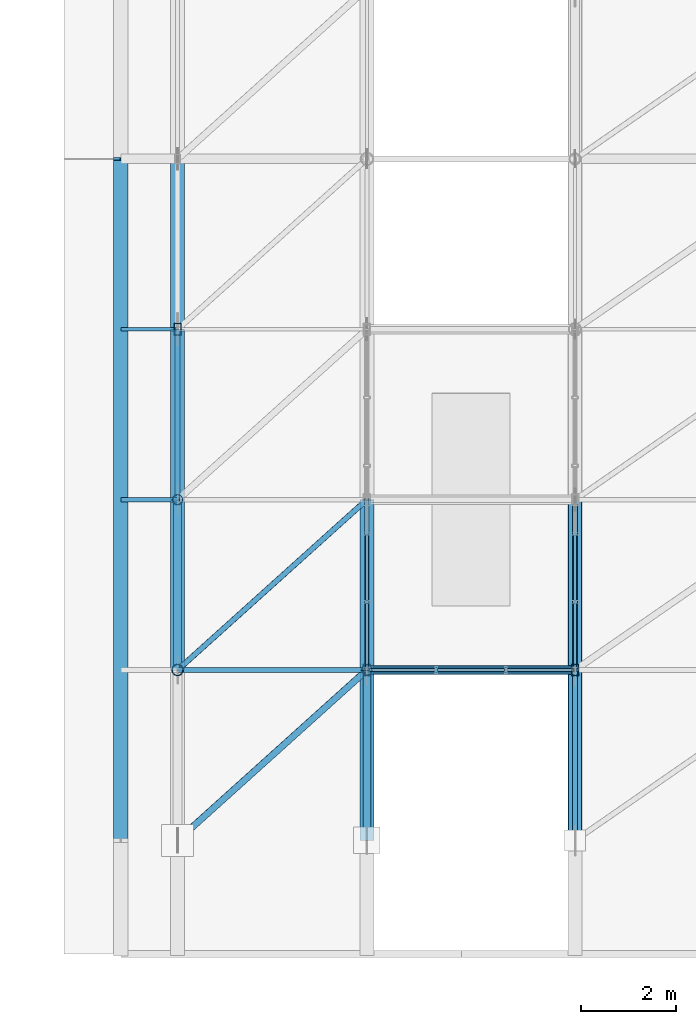
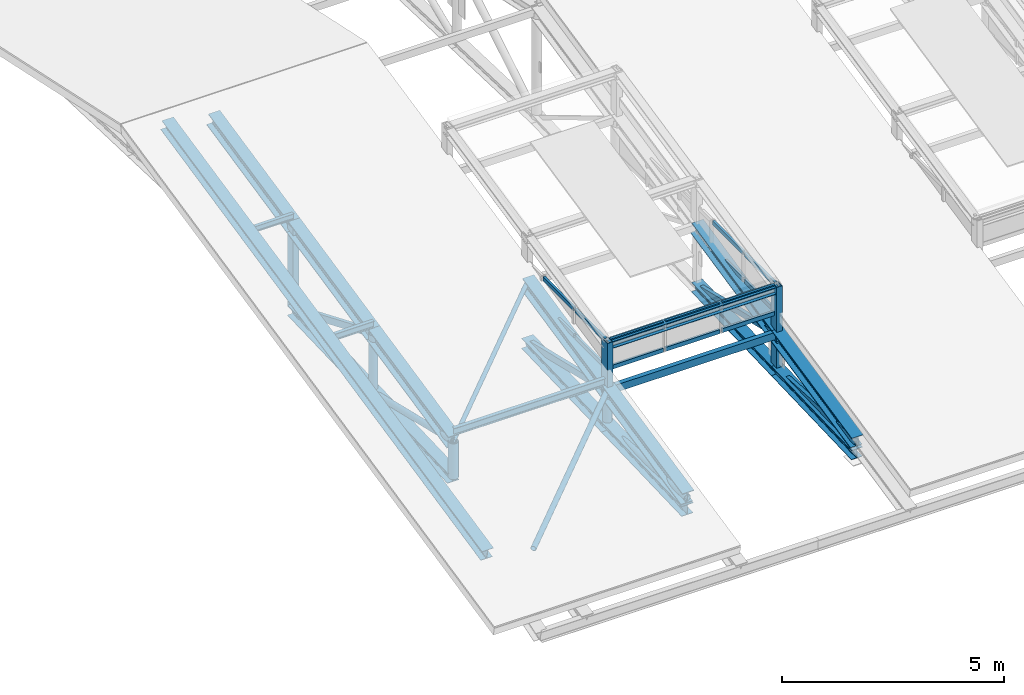
# One storey, part 33 of 124: 48 members, 3 elements without a shape of their own.
"""IFC4 building model written with IfcOpenShell, lengths in metres."""

from ifc_helpers import new_model, si_unit, direction, frame, origin, origin_2d, place, context, subcontext, project, spatial, hollow_rectangle, hollow_circle, i_section, extrude, material, layer, layer_set, material_profile, profile_set, type_object, element, aggregate, save


model = new_model("IFC4")

# Units and contexts
model_context = context("Model", 3, precision=1e-05, world=origin(), true_north=direction((0.0, 1.0)))
body_context = subcontext(model_context, "Body", "Model", "MODEL_VIEW")
ifc_project = project(units=[si_unit("LENGTHUNIT", "METRE"), si_unit("AREAUNIT", "SQUARE_METRE"), si_unit("VOLUMEUNIT", "CUBIC_METRE"), si_unit("PLANEANGLEUNIT", "RADIAN"), si_unit("MASSUNIT", "GRAM", prefix="KILO"), si_unit("THERMODYNAMICTEMPERATUREUNIT", "KELVIN"), si_unit("POWERUNIT", "WATT")], contexts=[model_context])

# Site, building, storey
site_placement = place(None, origin())
site = spatial("IfcSite", under=ifc_project, at=site_placement, CompositionType="ELEMENT")
building_placement = place(site_placement, origin())
building = spatial("IfcBuilding", under=site, at=building_placement, Name="Tavuni Mirador Residences", CompositionType="ELEMENT")
storey_placement = place(building_placement, frame((0.0, 0.0, 7.64990234375)))
storey = spatial("IfcBuildingStorey", under=building, at=storey_placement, Name="L02", CompositionType="ELEMENT", Elevation=7.64990234375)

# Curtain wall, members
ifc_material_1 = material(Name="Anodised aluminium", Category="aluminium")
ifc_layer = layer(ifc_material_1, 0.199951171875, Name="Anodised aluminium", Category="aluminium")
ifc_layer_set = layer_set([ifc_layer], Name="Anodised aluminium")
curtain_wall_type = type_object("IfcCurtainWallType", Name="CWT-HAL-01", PredefinedType="NOTDEFINED", material=ifc_layer_set)
curtain_wall_1_placement = place(storey_placement, origin())
curtain_wall_1 = element("IfcCurtainWall", 1, at=curtain_wall_1_placement, inside=storey, type_object=curtain_wall_type, Name="CW-HALL-MON-S1-W", PredefinedType="NOTDEFINED")
ifc_material_profile_1 = material_profile(ifc_material_1, hollow_rectangle(XDim=0.06005859375, YDim=0.110107421875, WallThickness=0.00390625, at=origin_2d()), Name="ALU 60x110x4.0", Category="aluminium")
ifc_profile_set_1 = profile_set([ifc_material_profile_1], Name="Anodised aluminium")
member_type_1 = type_object("IfcMemberType", Name="CWT-110", PredefinedType="USERDEFINED", material=ifc_profile_set_1)
member_1_placement = place(storey_placement, frame((44.800048828125, 75.659912109375, 1.205078125), z_axis=(0.0, 1.0, 0.0), x_axis=(-1.0, 0.0, 0.0)))
member_1 = element("IfcMember", 2, at=member_1_placement, type_object=member_type_1, Name="CW-06 transom 1.1", ObjectType="TRANSOM", PredefinedType="USERDEFINED", context=body_context, shape_type="SweptSolid", body=[
    extrude(hollow_rectangle(XDim=0.06005859375, YDim=0.110107421875, WallThickness=0.00390625, at=origin_2d()), origin(), (0.0, 0.0, 1.0), 1.35009765625),
])
member_2_placement = place(storey_placement, frame((44.800048828125, 75.659912109375, 1.93505859375), z_axis=(0.0, 1.0, 0.0), x_axis=(-1.0, 0.0, 0.0)))
member_2 = element("IfcMember", 3, at=member_2_placement, type_object=member_type_1, Name="CW-06 transom 1.2", ObjectType="TRANSOM", PredefinedType="USERDEFINED", context=body_context, shape_type="SweptSolid", body=[
    extrude(hollow_rectangle(XDim=0.06005859375, YDim=0.110107421875, WallThickness=0.00390625, at=origin_2d()), origin(), (0.0, 0.0, 1.0), 1.35009765625),
])
member_3_placement = place(storey_placement, frame((44.800048828125, 77.070068359375, 1.205078125), z_axis=(0.0, 1.0, 0.0), x_axis=(-1.0, 0.0, 0.0)))
member_3 = element("IfcMember", 4, at=member_3_placement, type_object=member_type_1, Name="CW-06 transom 2.1", ObjectType="TRANSOM", PredefinedType="USERDEFINED", context=body_context, shape_type="SweptSolid", body=[
    extrude(hollow_rectangle(XDim=0.06005859375, YDim=0.110107421875, WallThickness=0.00390625, at=origin_2d()), origin(), (0.0, 0.0, 1.0), 1.3798828125),
])
member_4_placement = place(storey_placement, frame((44.800048828125, 77.070068359375, 1.93505859375), z_axis=(0.0, 1.0, 0.0), x_axis=(-1.0, 0.0, 0.0)))
member_4 = element("IfcMember", 5, at=member_4_placement, type_object=member_type_1, Name="CW-06 transom 2.2", ObjectType="TRANSOM", PredefinedType="USERDEFINED", context=body_context, shape_type="SweptSolid", body=[
    extrude(hollow_rectangle(XDim=0.06005859375, YDim=0.110107421875, WallThickness=0.00390625, at=origin_2d()), origin(), (0.0, 0.0, 1.0), 1.3798828125),
])
aggregate(curtain_wall_1, [member_1, member_2, member_3, member_4])

curtain_wall_2_placement = place(storey_placement, origin())
curtain_wall_2 = element("IfcCurtainWall", 6, at=curtain_wall_2_placement, inside=storey, type_object=curtain_wall_type, Name="CW-HALL-MON-S1-E", PredefinedType="NOTDEFINED")
member_5_placement = place(storey_placement, frame((49.199951171875, 75.659912109375, 1.205078125), z_axis=(0.0, 1.0, 0.0), x_axis=(-1.0, 0.0, 0.0)))
member_5 = element("IfcMember", 7, at=member_5_placement, type_object=member_type_1, Name="CW-06 transom 1.1", ObjectType="TRANSOM", PredefinedType="USERDEFINED", context=body_context, shape_type="SweptSolid", body=[
    extrude(hollow_rectangle(XDim=0.06005859375, YDim=0.110107421875, WallThickness=0.00390625, at=origin_2d()), origin(), (0.0, 0.0, 1.0), 1.35009765625),
])
member_6_placement = place(storey_placement, frame((49.199951171875, 75.659912109375, 1.93505859375), z_axis=(0.0, 1.0, 0.0), x_axis=(-1.0, 0.0, 0.0)))
member_6 = element("IfcMember", 8, at=member_6_placement, type_object=member_type_1, Name="CW-06 transom 1.2", ObjectType="TRANSOM", PredefinedType="USERDEFINED", context=body_context, shape_type="SweptSolid", body=[
    extrude(hollow_rectangle(XDim=0.06005859375, YDim=0.110107421875, WallThickness=0.00390625, at=origin_2d()), origin(), (0.0, 0.0, 1.0), 1.35009765625),
])
member_7_placement = place(storey_placement, frame((49.199951171875, 77.070068359375, 1.205078125), z_axis=(0.0, 1.0, 0.0), x_axis=(-1.0, 0.0, 0.0)))
member_7 = element("IfcMember", 9, at=member_7_placement, type_object=member_type_1, Name="CW-06 transom 2.1", ObjectType="TRANSOM", PredefinedType="USERDEFINED", context=body_context, shape_type="SweptSolid", body=[
    extrude(hollow_rectangle(XDim=0.06005859375, YDim=0.110107421875, WallThickness=0.00390625, at=origin_2d()), origin(), (0.0, 0.0, 1.0), 1.3798828125),
])
member_8_placement = place(storey_placement, frame((49.199951171875, 77.070068359375, 1.93505859375), z_axis=(0.0, 1.0, 0.0), x_axis=(-1.0, 0.0, 0.0)))
member_8 = element("IfcMember", 10, at=member_8_placement, type_object=member_type_1, Name="CW-06 transom 2.2", ObjectType="TRANSOM", PredefinedType="USERDEFINED", context=body_context, shape_type="SweptSolid", body=[
    extrude(hollow_rectangle(XDim=0.06005859375, YDim=0.110107421875, WallThickness=0.00390625, at=origin_2d()), origin(), (0.0, 0.0, 1.0), 1.3798828125),
])
aggregate(curtain_wall_2, [member_5, member_6, member_7, member_8])

curtain_wall_3_placement = place(storey_placement, origin())
curtain_wall_3 = element("IfcCurtainWall", 11, at=curtain_wall_3_placement, inside=storey, type_object=curtain_wall_type, Name="CW-HALL-MON-S1-END", PredefinedType="NOTDEFINED")
member_9_placement = place(storey_placement, frame((44.860107421875, 75.60009765625, 1.205078125), z_axis=(1.0, 0.0, 0.0), x_axis=(0.0, 1.0, 0.0)))
member_9 = element("IfcMember", 12, at=member_9_placement, type_object=member_type_1, Name="CW-06 transom 1.1", ObjectType="TRANSOM", PredefinedType="USERDEFINED", context=body_context, shape_type="SweptSolid", body=[
    extrude(hollow_rectangle(XDim=0.06005859375, YDim=0.110107421875, WallThickness=0.00390625, at=origin_2d()), origin(), (0.0, 0.0, 1.0), 1.37646484375),
])
member_10_placement = place(storey_placement, frame((44.860107421875, 75.60009765625, 1.93505859375), z_axis=(1.0, 0.0, 0.0), x_axis=(0.0, 1.0, 0.0)))
member_10 = element("IfcMember", 13, at=member_10_placement, type_object=member_type_1, Name="CW-06 transom 1.2", ObjectType="TRANSOM", PredefinedType="USERDEFINED", context=body_context, shape_type="SweptSolid", body=[
    extrude(hollow_rectangle(XDim=0.06005859375, YDim=0.110107421875, WallThickness=0.00390625, at=origin_2d()), origin(), (0.0, 0.0, 1.0), 1.37646484375),
])
member_11_placement = place(storey_placement, frame((46.296630859375, 75.60009765625, 1.205078125), z_axis=(1.0, 0.0, 0.0), x_axis=(0.0, 1.0, 0.0)))
member_11 = element("IfcMember", 14, at=member_11_placement, type_object=member_type_1, Name="CW-06 transom 2.1", ObjectType="TRANSOM", PredefinedType="USERDEFINED", context=body_context, shape_type="SweptSolid", body=[
    extrude(hollow_rectangle(XDim=0.06005859375, YDim=0.110107421875, WallThickness=0.00390625, at=origin_2d()), origin(), (0.0, 0.0, 1.0), 1.40673828125),
])
member_12_placement = place(storey_placement, frame((46.296630859375, 75.60009765625, 1.93505859375), z_axis=(1.0, 0.0, 0.0), x_axis=(0.0, 1.0, 0.0)))
member_12 = element("IfcMember", 15, at=member_12_placement, type_object=member_type_1, Name="CW-06 transom 2.2", ObjectType="TRANSOM", PredefinedType="USERDEFINED", context=body_context, shape_type="SweptSolid", body=[
    extrude(hollow_rectangle(XDim=0.06005859375, YDim=0.110107421875, WallThickness=0.00390625, at=origin_2d()), origin(), (0.0, 0.0, 1.0), 1.40673828125),
])
member_13_placement = place(storey_placement, frame((47.763427734375, 75.60009765625, 1.205078125), z_axis=(1.0, 0.0, 0.0), x_axis=(0.0, 1.0, 0.0)))
member_13 = element("IfcMember", 16, at=member_13_placement, type_object=member_type_1, Name="CW-06 transom 3.1", ObjectType="TRANSOM", PredefinedType="USERDEFINED", context=body_context, shape_type="SweptSolid", body=[
    extrude(hollow_rectangle(XDim=0.06005859375, YDim=0.110107421875, WallThickness=0.00390625, at=origin_2d()), origin(), (0.0, 0.0, 1.0), 1.37646484375),
])
member_14_placement = place(storey_placement, frame((47.763427734375, 75.60009765625, 1.93505859375), z_axis=(1.0, 0.0, 0.0), x_axis=(0.0, 1.0, 0.0)))
member_14 = element("IfcMember", 17, at=member_14_placement, type_object=member_type_1, Name="CW-06 transom 3.2", ObjectType="TRANSOM", PredefinedType="USERDEFINED", context=body_context, shape_type="SweptSolid", body=[
    extrude(hollow_rectangle(XDim=0.06005859375, YDim=0.110107421875, WallThickness=0.00390625, at=origin_2d()), origin(), (0.0, 0.0, 1.0), 1.37646484375),
])
aggregate(curtain_wall_3, [member_9, member_10, member_11, member_12, member_13, member_14])

# Members
ifc_material_2 = material(Name="Structural steel S355", Category="steel")
ifc_material_profile_2 = material_profile(ifc_material_2, hollow_circle(Radius=0.05712890625, WallThickness=0.00634765625, at=origin_2d()), Name="CHS 114.3x6.3", Category="steel")
ifc_profile_set_2 = profile_set([ifc_material_profile_2], Name="Structural steel S355")
member_type_2 = type_object("IfcMemberType", Name="MT-BR-CHS114", PredefinedType="BRACE", material=ifc_profile_set_2)
member_15_placement = place(storey_placement, frame((40.800048828125, 75.60009765625, 0.60498046875), z_axis=(0.735714413945, 0.662116029884, 0.142571610368), x_axis=(-0.668949692402, 0.74330768127, 0.0)))
element("IfcMember", 18, at=member_15_placement, inside=storey, type_object=member_type_2, Name="HALL-RB-1-02", PredefinedType="BRACE", context=body_context, shape_type="SweptSolid", body=[
    extrude(hollow_circle(Radius=0.05712890625, WallThickness=0.00634765625, at=origin_2d()), origin(), (0.0, 0.0, 1.0), 5.43701171875),
])
ifc_material_profile_3 = material_profile(ifc_material_2, hollow_circle(Radius=0.06982421875, WallThickness=0.008056640625, at=origin_2d()), Name="CHS 139.7x8.0", Category="steel")
ifc_profile_set_3 = profile_set([ifc_material_profile_3], Name="Structural steel S355")
member_type_3 = type_object("IfcMemberType", Name="MT-BR-CHS139", PredefinedType="BRACE", material=ifc_profile_set_3)
member_16_placement = place(storey_placement, frame((40.800048828125, 72.0, -0.169921875), z_axis=(0.735697248953, 0.662145485417, 0.142523380626), x_axis=(-0.668974757313, 0.743285123004, 0.0)))
element("IfcMember", 19, at=member_16_placement, inside=storey, type_object=member_type_3, Name="HALL-RB-1-01", PredefinedType="BRACE", context=body_context, shape_type="SweptSolid", body=[
    extrude(hollow_circle(Radius=0.06982421875, WallThickness=0.008056640625, at=origin_2d()), origin(), (0.0, 0.0, 1.0), 5.43701171875),
])
ifc_material_profile_4 = material_profile(ifc_material_2, hollow_circle(Radius=0.084228515625, WallThickness=0.008056640625, at=origin_2d()), Name="CHS 168.3x8.0", Category="steel")
ifc_profile_set_4 = profile_set([ifc_material_profile_4], Name="Structural steel S355")
member_type_4 = type_object("IfcMemberType", Name="MT-BR-CHS168", PredefinedType="BRACE", material=ifc_profile_set_4)
member_17_placement = place(storey_placement, frame((40.800048828125, 75.60009765625, 0.60498046875), z_axis=(0.0, 0.972935623557, -0.231076334601), x_axis=(-1.0, 0.0, 0.0)))
element("IfcMember", 20, at=member_17_placement, inside=storey, type_object=member_type_4, Name="Roof truss TR-1 web diagonal 2", PredefinedType="BRACE", context=body_context, shape_type="SweptSolid", body=[
    extrude(hollow_circle(Radius=0.084228515625, WallThickness=0.008056640625, at=origin_2d()), origin(), (0.0, 0.0, 1.0), 3.699951171875),
])
member_18_placement = place(storey_placement, frame((44.800048828125, 72.0, -0.169921875), z_axis=(0.0, 0.998381455169, -0.05687240081), x_axis=(-1.0, 0.0, 0.0)))
element("IfcMember", 21, at=member_18_placement, inside=storey, type_object=member_type_4, Name="Roof truss TR-2 web diagonal 1", PredefinedType="BRACE", context=body_context, shape_type="SweptSolid", body=[
    extrude(hollow_circle(Radius=0.084228515625, WallThickness=0.008056640625, at=origin_2d()), origin(), (0.0, 0.0, 1.0), 3.60595703125),
])
ifc_material_profile_5 = material_profile(ifc_material_2, hollow_rectangle(XDim=0.10009765625, YDim=0.14990234375, WallThickness=0.008056640625, at=origin_2d()), Name="RHS 150x100x8.0", Category="steel")
ifc_profile_set_5 = profile_set([ifc_material_profile_5], Name="Structural steel S355")
member_type_5 = type_object("IfcMemberType", Name="MT-BR-RHS150", PredefinedType="BRACE", material=ifc_profile_set_5)
member_19_placement = place(storey_placement, frame((49.199951171875, 75.60009765625, 0.60498046875), z_axis=(0.0, 0.972935623557, -0.231076334601), x_axis=(-1.0, 0.0, 0.0)))
element("IfcMember", 22, at=member_19_placement, inside=storey, type_object=member_type_5, Name="Roof truss TR-3 web diagonal 2", PredefinedType="BRACE", context=body_context, shape_type="SweptSolid", body=[
    extrude(hollow_rectangle(XDim=0.10009765625, YDim=0.14990234375, WallThickness=0.008056640625, at=origin_2d()), origin(), (0.0, 0.0, 1.0), 3.699951171875),
])
ifc_material_profile_6 = material_profile(ifc_material_2, hollow_rectangle(XDim=0.10009765625, YDim=0.179931640625, WallThickness=0.008056640625, at=origin_2d()), Name="RHS 180x100x8.0", Category="steel")
ifc_profile_set_6 = profile_set([ifc_material_profile_6], Name="Structural steel S355")
member_type_6 = type_object("IfcMemberType", Name="MT-BR-RHS180", PredefinedType="BRACE", material=ifc_profile_set_6)
member_20_placement = place(storey_placement, frame((40.800048828125, 79.199951171875, 1.380126953125), z_axis=(0.0, 0.922613480979, -0.385725763613), x_axis=(-1.0, 0.0, 0.0)))
element("IfcMember", 23, at=member_20_placement, inside=storey, type_object=member_type_6, Name="Roof truss TR-1 web diagonal 3", PredefinedType="BRACE", context=body_context, shape_type="SweptSolid", body=[
    extrude(hollow_rectangle(XDim=0.10009765625, YDim=0.179931640625, WallThickness=0.008056640625, at=origin_2d()), origin(), (0.0, 0.0, 1.0), 3.902099609375),
])
member_21_placement = place(storey_placement, frame((44.800048828125, 75.60009765625, 0.60498046875), z_axis=(0.0, 0.972935623557, -0.231076334601), x_axis=(-1.0, 0.0, 0.0)))
element("IfcMember", 24, at=member_21_placement, inside=storey, type_object=member_type_6, Name="Roof truss TR-2 web diagonal 2", PredefinedType="BRACE", context=body_context, shape_type="SweptSolid", body=[
    extrude(hollow_rectangle(XDim=0.10009765625, YDim=0.179931640625, WallThickness=0.008056640625, at=origin_2d()), origin(), (0.0, 0.0, 1.0), 3.699951171875),
])
member_22_placement = place(storey_placement, frame((49.199951171875, 72.0, -0.169921875), z_axis=(0.0, 0.998381455169, -0.05687240081), x_axis=(-1.0, 0.0, 0.0)))
element("IfcMember", 25, at=member_22_placement, inside=storey, type_object=member_type_6, Name="Roof truss TR-3 web diagonal 1", PredefinedType="BRACE", context=body_context, shape_type="SweptSolid", body=[
    extrude(hollow_rectangle(XDim=0.10009765625, YDim=0.179931640625, WallThickness=0.008056640625, at=origin_2d()), origin(), (0.0, 0.0, 1.0), 3.60595703125),
])
ifc_material_profile_7 = material_profile(ifc_material_2, i_section(OverallWidth=0.280029296875, OverallDepth=0.27001953125, WebThickness=0.008056640625, FlangeThickness=0.012939453125, FilletRadius=0.02392578125, at=origin_2d()), Name="HEA 280", Category="steel")
ifc_profile_set_7 = profile_set([ifc_material_profile_7], Name="Structural steel S355")
member_type_7 = type_object("IfcMemberType", Name="MT-CH-HEA280", PredefinedType="CHORD", material=ifc_profile_set_7)
member_23_placement = place(storey_placement, frame((49.199951171875, 72.0, -0.5), z_axis=(0.0, 0.999397760821, 0.034700369832), x_axis=(-1.0, 0.0, 0.0)))
element("IfcMember", 26, at=member_23_placement, inside=storey, type_object=member_type_7, Name="Roof truss TR-3 bottom chord 1", PredefinedType="CHORD", context=body_context, shape_type="SweptSolid", body=[
    extrude(i_section(OverallWidth=0.280029296875, OverallDepth=0.27001953125, WebThickness=0.008056640625, FlangeThickness=0.012939453125, FilletRadius=0.02392578125, at=origin_2d()), origin(), (0.0, 0.0, 1.0), 3.602294921875),
])
member_24_placement = place(storey_placement, frame((49.199951171875, 75.60009765625, -0.375), z_axis=(0.0, 0.999397679205, 0.034702720363), x_axis=(-1.0, 0.0, 0.0)))
element("IfcMember", 27, at=member_24_placement, inside=storey, type_object=member_type_7, Name="Roof truss TR-3 bottom chord 2", PredefinedType="CHORD", context=body_context, shape_type="SweptSolid", body=[
    extrude(i_section(OverallWidth=0.280029296875, OverallDepth=0.27001953125, WebThickness=0.008056640625, FlangeThickness=0.012939453125, FilletRadius=0.02392578125, at=origin_2d()), origin(), (0.0, 0.0, 1.0), 3.60205078125),
])
ifc_material_profile_8 = material_profile(ifc_material_2, i_section(OverallWidth=0.300048828125, OverallDepth=0.2900390625, WebThickness=0.008544921875, FlangeThickness=0.013916015625, FilletRadius=0.027099609375, at=origin_2d()), Name="HEA 300", Category="steel")
ifc_profile_set_8 = profile_set([ifc_material_profile_8], Name="Structural steel S355")
member_type_8 = type_object("IfcMemberType", Name="MT-CH-HEA300", PredefinedType="CHORD", material=ifc_profile_set_8)
member_25_placement = place(storey_placement, frame((40.800048828125, 75.60009765625, -0.375), z_axis=(0.0, 0.999397679205, 0.034702720363), x_axis=(-1.0, 0.0, 0.0)))
element("IfcMember", 28, at=member_25_placement, inside=storey, type_object=member_type_8, Name="Roof truss TR-1 bottom chord 2", PredefinedType="CHORD", context=body_context, shape_type="SweptSolid", body=[
    extrude(i_section(OverallWidth=0.300048828125, OverallDepth=0.2900390625, WebThickness=0.008544921875, FlangeThickness=0.013916015625, FilletRadius=0.027099609375, at=origin_2d()), origin(), (0.0, 0.0, 1.0), 3.60205078125),
])
for number, where, z_axis, x_axis, name in (
    (29, (40.800048828125, 79.199951171875, -0.25), (0.0, 0.999397760821, 0.034700369832), (-1.0, 0.0, 0.0), "Roof truss TR-1 bottom chord 3"),
    (30, (44.800048828125, 72.0, -0.5), (0.0, 0.999397760821, 0.034700369832), (-1.0, 0.0, 0.0), "Roof truss TR-2 bottom chord 1"),
):
    element("IfcMember", number, at=place(storey_placement, frame(where, z_axis=z_axis, x_axis=x_axis)), inside=storey, type_object=member_type_8, Name=name, PredefinedType="CHORD", context=body_context, shape_type="SweptSolid", body=[
        extrude(i_section(OverallWidth=0.300048828125, OverallDepth=0.2900390625, WebThickness=0.008544921875, FlangeThickness=0.013916015625, FilletRadius=0.027099609375, at=origin_2d()), origin(), (0.0, 0.0, 1.0), 3.602294921875),
    ])
member_26_placement = place(storey_placement, frame((44.800048828125, 75.60009765625, -0.375), z_axis=(0.0, 0.999397679205, 0.034702720363), x_axis=(-1.0, 0.0, 0.0)))
element("IfcMember", 31, at=member_26_placement, inside=storey, type_object=member_type_8, Name="Roof truss TR-2 bottom chord 2", PredefinedType="CHORD", context=body_context, shape_type="SweptSolid", body=[
    extrude(i_section(OverallWidth=0.300048828125, OverallDepth=0.2900390625, WebThickness=0.008544921875, FlangeThickness=0.013916015625, FilletRadius=0.027099609375, at=origin_2d()), origin(), (0.0, 0.0, 1.0), 3.60205078125),
])
member_27_placement = place(storey_placement, frame((39.60009765625, 72.0, 0.09521484375), z_axis=(0.0, 0.977605026938, 0.210448120224), x_axis=(-1.0, 0.0, 0.0)))
element("IfcMember", 32, at=member_27_placement, inside=storey, type_object=member_type_8, Name="HALL-GAB-W-S", PredefinedType="CHORD", context=body_context, shape_type="SweptSolid", body=[
    extrude(i_section(OverallWidth=0.300048828125, OverallDepth=0.2900390625, WebThickness=0.008544921875, FlangeThickness=0.013916015625, FilletRadius=0.027099609375, at=origin_2d()), origin(), (0.0, 0.0, 1.0), 14.729736328125),
])
ifc_material_profile_9 = material_profile(ifc_material_2, i_section(OverallWidth=0.300048828125, OverallDepth=0.320068359375, WebThickness=0.011474609375, FlangeThickness=0.0205078125, FilletRadius=0.027099609375, at=origin_2d()), Name="HEB 320", Category="steel")
ifc_profile_set_9 = profile_set([ifc_material_profile_9], Name="Structural steel S355")
member_type_9 = type_object("IfcMemberType", Name="MT-CH-HEB320", PredefinedType="CHORD", material=ifc_profile_set_9)
member_28_placement = place(storey_placement, frame((49.199951171875, 72.0, -0.169921875), z_axis=(0.0, 0.977609904647, 0.210425460284), x_axis=(-1.0, 0.0, 0.0)))
element("IfcMember", 33, at=member_28_placement, inside=storey, type_object=member_type_9, Name="Roof truss TR-3 top chord 1", PredefinedType="CHORD", context=body_context, shape_type="SweptSolid", body=[
    extrude(i_section(OverallWidth=0.300048828125, OverallDepth=0.320068359375, WebThickness=0.011474609375, FlangeThickness=0.0205078125, FilletRadius=0.027099609375, at=origin_2d()), origin(), (0.0, 0.0, 1.0), 3.6826171875),
])
member_29_placement = place(storey_placement, frame((49.199951171875, 75.60009765625, 0.60498046875), z_axis=(0.0, 0.977593327089, 0.210502462768), x_axis=(-1.0, 0.0, 0.0)))
element("IfcMember", 34, at=member_29_placement, inside=storey, type_object=member_type_9, Name="Roof truss TR-3 top chord 2", PredefinedType="CHORD", context=body_context, shape_type="SweptSolid", body=[
    extrude(i_section(OverallWidth=0.300048828125, OverallDepth=0.320068359375, WebThickness=0.011474609375, FlangeThickness=0.0205078125, FilletRadius=0.027099609375, at=origin_2d()), origin(), (0.0, 0.0, 1.0), 3.682373046875),
])
ifc_material_profile_10 = material_profile(ifc_material_2, i_section(OverallWidth=0.300048828125, OverallDepth=0.360107421875, WebThickness=0.012451171875, FlangeThickness=0.0224609375, FilletRadius=0.027099609375, at=origin_2d()), Name="HEB 360", Category="steel")
ifc_profile_set_10 = profile_set([ifc_material_profile_10], Name="Structural steel S355")
member_type_10 = type_object("IfcMemberType", Name="MT-CH-HEB360", PredefinedType="CHORD", material=ifc_profile_set_10)
member_30_placement = place(storey_placement, frame((40.800048828125, 75.60009765625, 0.60498046875), z_axis=(0.0, 0.977593327089, 0.210502462768), x_axis=(-1.0, 0.0, 0.0)))
element("IfcMember", 35, at=member_30_placement, inside=storey, type_object=member_type_10, Name="Roof truss TR-1 top chord 2", PredefinedType="CHORD", context=body_context, shape_type="SweptSolid", body=[
    extrude(i_section(OverallWidth=0.300048828125, OverallDepth=0.360107421875, WebThickness=0.012451171875, FlangeThickness=0.0224609375, FilletRadius=0.027099609375, at=origin_2d()), origin(), (0.0, 0.0, 1.0), 3.682373046875),
])
member_31_placement = place(storey_placement, frame((40.800048828125, 79.199951171875, 1.380126953125), z_axis=(0.0, 0.977609904647, 0.210425460284), x_axis=(-1.0, 0.0, 0.0)))
element("IfcMember", 36, at=member_31_placement, inside=storey, type_object=member_type_10, Name="Roof truss TR-1 top chord 3", PredefinedType="CHORD", context=body_context, shape_type="SweptSolid", body=[
    extrude(i_section(OverallWidth=0.300048828125, OverallDepth=0.360107421875, WebThickness=0.012451171875, FlangeThickness=0.0224609375, FilletRadius=0.027099609375, at=origin_2d()), origin(), (0.0, 0.0, 1.0), 3.6826171875),
])
member_32_placement = place(storey_placement, frame((40.800048828125, 82.800048828125, 2.155029296875), z_axis=(0.0, 0.977593327089, 0.210502462768), x_axis=(-1.0, 0.0, 0.0)))
element("IfcMember", 37, at=member_32_placement, inside=storey, type_object=member_type_10, Name="Roof truss TR-1 top chord 4", PredefinedType="CHORD", context=body_context, shape_type="SweptSolid", body=[
    extrude(i_section(OverallWidth=0.300048828125, OverallDepth=0.360107421875, WebThickness=0.012451171875, FlangeThickness=0.0224609375, FilletRadius=0.027099609375, at=origin_2d()), origin(), (0.0, 0.0, 1.0), 3.682373046875),
])
member_33_placement = place(storey_placement, frame((44.800048828125, 72.0, -0.169921875), z_axis=(0.0, 0.977609904647, 0.210425460284), x_axis=(-1.0, 0.0, 0.0)))
element("IfcMember", 38, at=member_33_placement, inside=storey, type_object=member_type_10, Name="Roof truss TR-2 top chord 1", PredefinedType="CHORD", context=body_context, shape_type="SweptSolid", body=[
    extrude(i_section(OverallWidth=0.300048828125, OverallDepth=0.360107421875, WebThickness=0.012451171875, FlangeThickness=0.0224609375, FilletRadius=0.027099609375, at=origin_2d()), origin(), (0.0, 0.0, 1.0), 3.6826171875),
])
member_34_placement = place(storey_placement, frame((44.800048828125, 75.60009765625, 0.60498046875), z_axis=(0.0, 0.977593327089, 0.210502462768), x_axis=(-1.0, 0.0, 0.0)))
element("IfcMember", 39, at=member_34_placement, inside=storey, type_object=member_type_10, Name="Roof truss TR-2 top chord 2", PredefinedType="CHORD", context=body_context, shape_type="SweptSolid", body=[
    extrude(i_section(OverallWidth=0.300048828125, OverallDepth=0.360107421875, WebThickness=0.012451171875, FlangeThickness=0.0224609375, FilletRadius=0.027099609375, at=origin_2d()), origin(), (0.0, 0.0, 1.0), 3.682373046875),
])
ifc_material_profile_11 = material_profile(ifc_material_2, i_section(OverallWidth=0.199951171875, OverallDepth=0.18994140625, WebThickness=0.006591796875, FlangeThickness=0.010009765625, FilletRadius=0.01806640625, at=origin_2d()), Name="HEA 200", Category="steel")
ifc_profile_set_11 = profile_set([ifc_material_profile_11], Name="Structural steel S355")
member_type_11 = type_object("IfcMemberType", Name="MT-PR-HEA200", PredefinedType="PURLIN", material=ifc_profile_set_11)
member_35_placement = place(storey_placement, frame((44.800048828125, 75.60009765625, 1.864990234375), z_axis=(1.0, 0.0, 0.0), x_axis=(0.0, 1.0, 0.0)))
element("IfcMember", 40, at=member_35_placement, inside=storey, type_object=member_type_11, Name="HALL-MPUR-1-S-1", PredefinedType="PURLIN", context=body_context, shape_type="SweptSolid", body=[
    extrude(i_section(OverallWidth=0.199951171875, OverallDepth=0.18994140625, WebThickness=0.006591796875, FlangeThickness=0.010009765625, FilletRadius=0.01806640625, at=origin_2d()), origin(), (0.0, 0.0, 1.0), 4.39990234375),
])
ifc_material_profile_12 = material_profile(ifc_material_2, i_section(OverallWidth=0.08203125, OverallDepth=0.159912109375, WebThickness=0.0048828125, FlangeThickness=0.00732421875, FilletRadius=0.009033203125, at=origin_2d()), Name="IPE 160", Category="steel")
ifc_profile_set_12 = profile_set([ifc_material_profile_12], Name="Structural steel S355")
member_type_12 = type_object("IfcMemberType", Name="MT-PR-IPE160", PredefinedType="PURLIN", material=ifc_profile_set_12)
member_36_placement = place(storey_placement, frame((39.60009765625, 82.800048828125, 2.420166015625), z_axis=(1.0, 0.0, 0.0), x_axis=(0.0, 1.0, 0.0)))
element("IfcMember", 41, at=member_36_placement, inside=storey, type_object=member_type_12, Name="HALL-PUR-02-S1-1", PredefinedType="PURLIN", context=body_context, shape_type="SweptSolid", body=[
    extrude(i_section(OverallWidth=0.08203125, OverallDepth=0.159912109375, WebThickness=0.0048828125, FlangeThickness=0.00732421875, FilletRadius=0.009033203125, at=origin_2d()), origin(), (0.0, 0.0, 1.0), 1.199951171875),
])
ifc_material_profile_13 = material_profile(ifc_material_2, i_section(OverallWidth=0.091064453125, OverallDepth=0.179931640625, WebThickness=0.00537109375, FlangeThickness=0.008056640625, FilletRadius=0.009033203125, at=origin_2d()), Name="IPE 180", Category="steel")
ifc_profile_set_13 = profile_set([ifc_material_profile_13], Name="Structural steel S355")
member_type_13 = type_object("IfcMemberType", Name="MT-PR-IPE180", PredefinedType="PURLIN", material=ifc_profile_set_13)
member_37_placement = place(storey_placement, frame((39.60009765625, 79.199951171875, 1.64501953125), z_axis=(1.0, 0.0, 0.0), x_axis=(0.0, 1.0, 0.0)))
element("IfcMember", 42, at=member_37_placement, inside=storey, type_object=member_type_13, Name="HALL-PUR-01-S1-1", PredefinedType="PURLIN", context=body_context, shape_type="SweptSolid", body=[
    extrude(i_section(OverallWidth=0.091064453125, OverallDepth=0.179931640625, WebThickness=0.00537109375, FlangeThickness=0.008056640625, FilletRadius=0.009033203125, at=origin_2d()), origin(), (0.0, 0.0, 1.0), 1.199951171875),
])
ifc_material_profile_14 = material_profile(ifc_material_2, i_section(OverallWidth=0.10009765625, OverallDepth=0.199951171875, WebThickness=0.005615234375, FlangeThickness=0.008544921875, FilletRadius=0.011962890625, at=origin_2d()), Name="IPE 200", Category="steel")
ifc_profile_set_14 = profile_set([ifc_material_profile_14], Name="Structural steel S355")
member_type_14 = type_object("IfcMemberType", Name="MT-PR-IPE200", PredefinedType="PURLIN", material=ifc_profile_set_14)
member_38_placement = place(storey_placement, frame((40.800048828125, 75.60009765625, 0.8701171875), z_axis=(1.0, 0.0, 0.0), x_axis=(0.0, 1.0, 0.0)))
element("IfcMember", 43, at=member_38_placement, inside=storey, type_object=member_type_14, Name="HALL-PUR-00-S1-2", PredefinedType="PURLIN", context=body_context, shape_type="SweptSolid", body=[
    extrude(i_section(OverallWidth=0.10009765625, OverallDepth=0.199951171875, WebThickness=0.005615234375, FlangeThickness=0.008544921875, FilletRadius=0.011962890625, at=origin_2d()), origin(), (0.0, 0.0, 1.0), 4.0),
])
ifc_material_profile_15 = material_profile(ifc_material_2, hollow_circle(Radius=0.109619140625, WallThickness=0.010009765625, at=origin_2d()), Name="CHS 219.1x10.0", Category="steel")
ifc_profile_set_15 = profile_set([ifc_material_profile_15], Name="Structural steel S355")
member_type_15 = type_object("IfcMemberType", Name="MT-ST-CHS219", PredefinedType="STRUT", material=ifc_profile_set_15)
member_39_placement = place(storey_placement, frame((40.800048828125, 79.199951171875, -0.25), z_axis=(0.0, 0.0, 1.0), x_axis=(1.0, 0.0, 0.0)))
element("IfcMember", 44, at=member_39_placement, inside=storey, type_object=member_type_15, Name="Roof truss TR-1 vertical 3", PredefinedType="STRUT", context=body_context, shape_type="SweptSolid", body=[
    extrude(hollow_circle(Radius=0.109619140625, WallThickness=0.010009765625, at=origin_2d()), origin(), (0.0, 0.0, 1.0), 1.630126953125),
])
member_40_placement = place(storey_placement, frame((44.800048828125, 75.60009765625, -0.375), z_axis=(0.0, 0.0, 1.0), x_axis=(1.0, 0.0, 0.0)))
element("IfcMember", 45, at=member_40_placement, inside=storey, type_object=member_type_15, Name="Roof truss TR-2 vertical 2", PredefinedType="STRUT", context=body_context, shape_type="SweptSolid", body=[
    extrude(hollow_circle(Radius=0.109619140625, WallThickness=0.010009765625, at=origin_2d()), origin(), (0.0, 0.0, 1.0), 0.97998046875),
])
ifc_material_profile_16 = material_profile(ifc_material_2, hollow_circle(Radius=0.122314453125, WallThickness=0.012451171875, at=origin_2d()), Name="CHS 244.5x12.5", Category="steel")
ifc_profile_set_16 = profile_set([ifc_material_profile_16], Name="Structural steel S355")
member_type_16 = type_object("IfcMemberType", Name="MT-ST-CHS244", PredefinedType="STRUT", material=ifc_profile_set_16)
member_41_placement = place(storey_placement, frame((40.800048828125, 75.60009765625, -0.375), z_axis=(0.0, 0.0, 1.0), x_axis=(1.0, 0.0, 0.0)))
element("IfcMember", 46, at=member_41_placement, inside=storey, type_object=member_type_16, Name="Roof truss TR-1 vertical 2", PredefinedType="STRUT", context=body_context, shape_type="SweptSolid", body=[
    extrude(hollow_circle(Radius=0.122314453125, WallThickness=0.012451171875, at=origin_2d()), origin(), (0.0, 0.0, 1.0), 0.97998046875),
])
ifc_material_profile_17 = material_profile(ifc_material_2, hollow_rectangle(XDim=0.1201171875, YDim=0.199951171875, WallThickness=0.010009765625, at=origin_2d()), Name="RHS 200x120x10.0", Category="steel")
ifc_profile_set_17 = profile_set([ifc_material_profile_17], Name="Structural steel S355")
member_type_17 = type_object("IfcMemberType", Name="MT-ST-RHS200", PredefinedType="STRUT", material=ifc_profile_set_17)
member_42_placement = place(storey_placement, frame((44.719970703125, 75.60009765625, 0.60498046875), z_axis=(1.0, 0.0, 0.0), x_axis=(0.0, 1.0, 0.0)))
element("IfcMember", 47, at=member_42_placement, inside=storey, type_object=member_type_17, Name="HALL-MTIE-1-01", PredefinedType="STRUT", context=body_context, shape_type="SweptSolid", body=[
    extrude(hollow_rectangle(XDim=0.1201171875, YDim=0.199951171875, WallThickness=0.010009765625, at=origin_2d()), origin(), (0.0, 0.0, 1.0), 4.56005859375),
])
ifc_material_profile_18 = material_profile(ifc_material_2, hollow_rectangle(XDim=0.14990234375, YDim=0.25, WallThickness=0.010009765625, at=origin_2d()), Name="RHS 250x150x10.0", Category="steel")
ifc_profile_set_18 = profile_set([ifc_material_profile_18], Name="Structural steel S355")
member_type_18 = type_object("IfcMemberType", Name="MT-ST-RHS250", PredefinedType="STRUT", material=ifc_profile_set_18)
member_43_placement = place(storey_placement, frame((40.800048828125, 82.800048828125, -0.125), z_axis=(0.0, 0.0, 1.0), x_axis=(1.0, 0.0, 0.0)))
element("IfcMember", 48, at=member_43_placement, inside=storey, type_object=member_type_18, Name="Roof truss TR-1 vertical 4", PredefinedType="STRUT", context=body_context, shape_type="SweptSolid", body=[
    extrude(hollow_rectangle(XDim=0.14990234375, YDim=0.25, WallThickness=0.010009765625, at=origin_2d()), origin(), (0.0, 0.0, 1.0), 2.280029296875),
])
member_44_placement = place(storey_placement, frame((49.199951171875, 75.60009765625, -0.375), z_axis=(0.0, 0.0, 1.0), x_axis=(1.0, 0.0, 0.0)))
element("IfcMember", 49, at=member_44_placement, inside=storey, type_object=member_type_18, Name="Roof truss TR-3 vertical 2", PredefinedType="STRUT", context=body_context, shape_type="SweptSolid", body=[
    extrude(hollow_rectangle(XDim=0.14990234375, YDim=0.25, WallThickness=0.010009765625, at=origin_2d()), origin(), (0.0, 0.0, 1.0), 0.97998046875),
])
for number, where, z_axis, x_axis, name in (
    (50, (44.800048828125, 75.60009765625, 0.485107421875), (0.0, 0.0, 1.0), (1.0, 0.0, 0.0), "HALL-MPST-1-S-W1"),
    (51, (49.199951171875, 75.60009765625, 0.485107421875), (0.0, 0.0, 1.0), (1.0, 0.0, 0.0), "HALL-MPST-1-S-E1"),
):
    element("IfcMember", number, at=place(storey_placement, frame(where, z_axis=z_axis, x_axis=x_axis)), inside=storey, type_object=member_type_18, Name=name, PredefinedType="STRUT", context=body_context, shape_type="SweptSolid", body=[
        extrude(hollow_rectangle(XDim=0.14990234375, YDim=0.25, WallThickness=0.010009765625, at=origin_2d()), origin(), (0.0, 0.0, 1.0), 1.489990234375),
    ])

save(model, "model.ifc")
